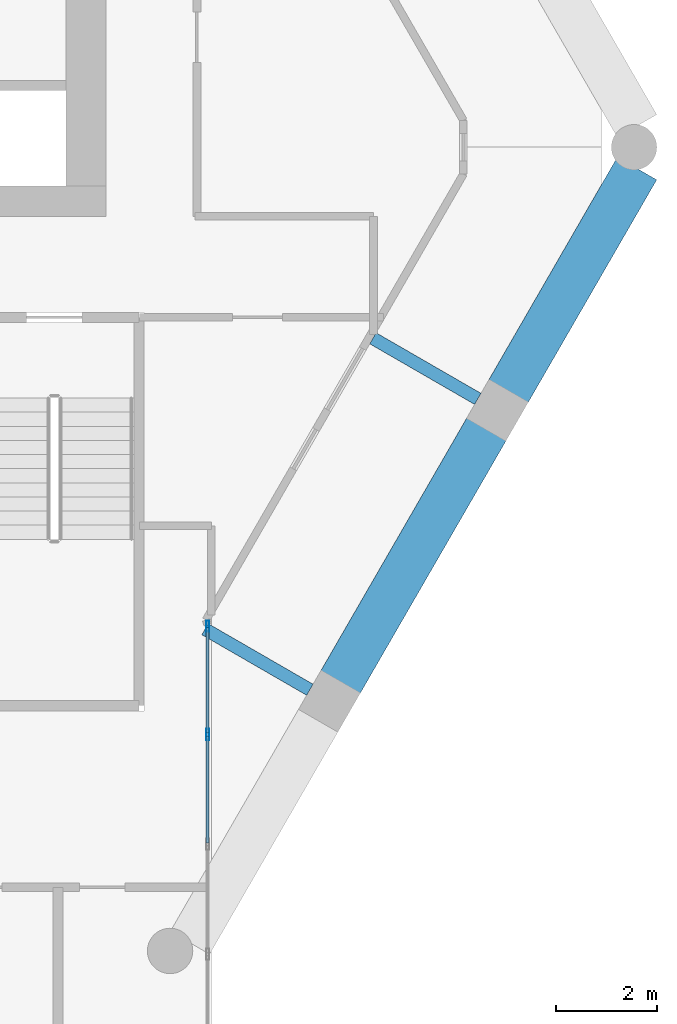
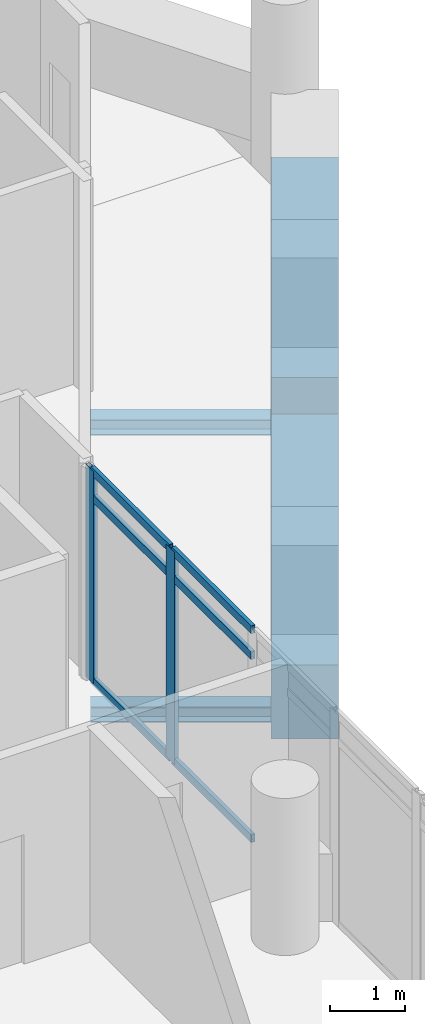
# One storey, part 10 of 25: 8 members, 4 beams, 1 element without a shape of its own.
"""IFC4 building model written with IfcOpenShell, lengths in metres."""

import ifcopenshell
import ifcopenshell.guid

model = None  # the IFC model being written
_history = None  # IfcOwnerHistory: only IFC2X3 demands one
_inside = {}  # id of a spatial element -> (the spatial element, [elements in it])
_under = {}  # id of a project, library or spatial element -> (it, [spatial elements below it])
_declared = {}  # id of a project -> (the project, [libraries it declares])
_typed = {}  # id of a type object -> (the type object, [elements of that type])
_made_of = {}  # id of a material, layer set ... -> (it, [elements and type objects made of it])


def new_model(schema):
    """Start an empty IFC model of exactly this schema.

    Asked for "IFC4X3", IfcOpenShell would pick the latest addendum, in which some entities
    have other attributes; the version numbers below select the first issue.
    IFC2X3 requires an IfcOwnerHistory on every rooted entity: one is made here for all.
    """
    global model, _history
    if schema == "IFC4X3":
        model = ifcopenshell.file(schema_version=(4, 3, 0, 0))
    else:
        model = ifcopenshell.file(schema=schema)
    _inside.clear()
    _under.clear()
    _declared.clear()
    _typed.clear()
    _made_of.clear()
    _history = None
    if model.schema == "IFC2X3":
        org = make("IfcOrganization", Name="unknown")
        user = make(
            "IfcPersonAndOrganization",
            ThePerson=make("IfcPerson", FamilyName="unknown"),
            TheOrganization=org,
        )
        app = make(
            "IfcApplication",
            ApplicationDeveloper=org,
            Version="unknown",
            ApplicationFullName="unknown",
            ApplicationIdentifier="unknown",
        )
        _history = make(
            "IfcOwnerHistory",
            OwningUser=user,
            OwningApplication=app,
            ChangeAction="ADDED",
            CreationDate=0,
        )
    return model


def make(cls, **values):
    """One entity of the class cls with the attributes given. An attribute that is None is left unset."""
    return model.create_entity(
        cls, **{name: value for name, value in values.items() if value is not None}
    )


def rooted(cls, **values):
    """An entity with a GlobalId (a new one), such as an element, a storey or a relation."""
    return make(cls, GlobalId=ifcopenshell.guid.new(), OwnerHistory=_history, **values)


def si_unit(unit_type, name, prefix=None):
    """IfcSIUnit, for example si_unit("LENGTHUNIT", "METRE", prefix="MILLI")."""
    return make("IfcSIUnit", UnitType=unit_type, Prefix=prefix, Name=name)


def assignment(units):
    """IfcUnitAssignment: the units of a project."""
    return None if units is None else make("IfcUnitAssignment", Units=units)


def point(xyz):
    """IfcCartesianPoint."""
    return None if xyz is None else make("IfcCartesianPoint", Coordinates=xyz)


def direction(xyz):
    """IfcDirection."""
    return None if xyz is None else make("IfcDirection", DirectionRatios=xyz)


def frame(location, z_axis=None, x_axis=None):
    """IfcAxis2Placement3D, a coordinate frame: its origin and axes. An axis left out is left unset."""
    return make(
        "IfcAxis2Placement3D",
        Location=point(location),
        Axis=direction(z_axis),
        RefDirection=direction(x_axis),
    )


def frame_2d(location, x_axis=None):
    """IfcAxis2Placement2D, a coordinate frame in the plane: its origin and x axis."""
    return make(
        "IfcAxis2Placement2D", Location=point(location), RefDirection=direction(x_axis)
    )


def origin():
    """The frame at (0, 0, 0) with its axes left unset."""
    return frame((0.0, 0.0, 0.0))


def origin_2d():
    """The frame at (0, 0) in the plane with its x axis left unset."""
    return frame_2d((0.0, 0.0))


def place(relative_to, where):
    """IfcLocalPlacement: puts the frame where relative to a parent placement (None: the world)."""
    return make(
        "IfcLocalPlacement", PlacementRelTo=relative_to, RelativePlacement=where
    )


def context(
    kind, dimensions, precision=None, world=None, true_north=None, identifier=None
):
    """IfcGeometricRepresentationContext, for example the 3D "Model" context."""
    return make(
        "IfcGeometricRepresentationContext",
        ContextIdentifier=identifier,
        ContextType=kind,
        CoordinateSpaceDimension=dimensions,
        Precision=precision,
        WorldCoordinateSystem=world,
        TrueNorth=true_north,
    )


def subcontext(parent, identifier, kind, view, scale=None):
    """IfcGeometricRepresentationSubContext, for example "Body" below "Model"."""
    return make(
        "IfcGeometricRepresentationSubContext",
        ContextIdentifier=identifier,
        ContextType=kind,
        ParentContext=parent,
        TargetScale=scale,
        TargetView=view,
    )


def project(units=None, contexts=None):
    """IfcProject with its units and contexts."""
    return rooted(
        "IfcProject",
        Name="project",
        RepresentationContexts=contexts,
        UnitsInContext=assignment(units),
    )


def spatial(cls, under=None, at=None, **own):
    """A site, building, storey or space (cls), placed at a placement, below another one or the project."""
    s = rooted(cls, ObjectPlacement=at, **own)
    if under is not None:
        _under.setdefault(under.id(), (under, []))[1].append(s)
    return s


def profile(cls, at=None, kind="AREA", **sizes):
    """A parametric profile (cls). Its sizes go by their IFC names, for example OverallWidth=200.0."""
    return make(cls, ProfileType=kind, Position=at, **sizes)


def rectangle(**sizes):
    """IfcRectangleProfileDef."""
    return profile("IfcRectangleProfileDef", **sizes)


def hollow_rectangle(**sizes):
    """IfcRectangleHollowProfileDef."""
    return profile("IfcRectangleHollowProfileDef", **sizes)


def i_section(**sizes):
    """IfcIShapeProfileDef."""
    return profile("IfcIShapeProfileDef", **sizes)


def extrude(swept, where, along, depth):
    """IfcExtrudedAreaSolid: the profile swept, set in the frame where, extruded along a direction by depth."""
    return make(
        "IfcExtrudedAreaSolid",
        SweptArea=swept,
        Position=where,
        ExtrudedDirection=direction(along),
        Depth=depth,
    )


def shape(context_of_items, identifier, shape_type, items):
    """IfcShapeRepresentation: the items that make up one representation, for example the "Body"."""
    return make(
        "IfcShapeRepresentation",
        ContextOfItems=context_of_items,
        RepresentationIdentifier=identifier,
        RepresentationType=shape_type,
        Items=items,
    )


def material(Name=None, Category=None):
    """IfcMaterial."""
    return make("IfcMaterial", Name=Name, Category=Category)


def material_profile(
    of_material, cross_section, Name=None, Category=None, Priority=None
):
    """IfcMaterialProfile: a cross section and its material."""
    return make(
        "IfcMaterialProfile",
        Name=Name,
        Material=of_material,
        Profile=cross_section,
        Priority=Priority,
        Category=Category,
    )


def profile_set(profiles, Name=None, composite=None):
    """IfcMaterialProfileSet."""
    return make(
        "IfcMaterialProfileSet",
        Name=Name,
        MaterialProfiles=profiles,
        CompositeProfile=composite,
    )


def made_of(thing, what):
    """Note that an element or type object is made of a material, layer set ...; save() writes the relation."""
    if what is not None:
        _made_of.setdefault(what.id(), (what, []))[1].append(thing)
    return thing


def type_object(cls, material=None, **own):
    """A type object (cls), such as IfcWallType, which elements share."""
    return made_of(rooted(cls, **own), material)


def element(
    cls,
    number,
    at=None,
    inside=None,
    cuts=None,
    type_object=None,
    material=None,
    context=None,
    identifier="Body",
    shape_type=None,
    held_by="IfcProductDefinitionShape",
    body=None,
    shapes=None,
    **own,
):
    """One element of the class cls, such as IfcWall. Its Tag is "e" and its number.

    at: its placement. inside: the storey or other place that contains it. cuts: it is an
    opening in that element (IfcRelVoidsElement). A single representation is given by context,
    identifier, shape_type and body (its items); several are given by shapes. held_by: the class
    of the entity that holds the representations. save() writes the other relations.
    """
    e = rooted(cls, Tag="e%d" % number, ObjectPlacement=at, **own)
    if body is not None:
        shapes = [shape(context, identifier, shape_type, body)]
    if shapes is not None:
        e.Representation = make(held_by, Representations=shapes)
    if inside is not None:
        _inside.setdefault(inside.id(), (inside, []))[1].append(e)
    if cuts is not None:
        rooted(
            "IfcRelVoidsElement", RelatingBuildingElement=cuts, RelatedOpeningElement=e
        )
    if type_object is not None:
        _typed.setdefault(type_object.id(), (type_object, []))[1].append(e)
    return made_of(e, material)


def aggregate(whole, parts):
    """IfcRelAggregates: a whole, such as a stair, and the parts it consists of."""
    return rooted("IfcRelAggregates", RelatingObject=whole, RelatedObjects=parts)


def save(model, path):
    """Write the relations noted so far, then the file.

    IfcRelAggregates (storeys below a building ...), IfcRelContainedInSpatialStructure (elements
    in a storey), IfcRelDefinesByType, IfcRelAssociatesMaterial and IfcRelDeclares: one each for
    every whole, place, type object, material and project.
    """
    for whole, parts in _under.values():
        aggregate(whole, parts)
    for where, things in _inside.values():
        rooted(
            "IfcRelContainedInSpatialStructure",
            RelatedElements=things,
            RelatingStructure=where,
        )
    for kind, things in _typed.values():
        rooted("IfcRelDefinesByType", RelatedObjects=things, RelatingType=kind)
    for what, things in _made_of.values():
        rooted("IfcRelAssociatesMaterial", RelatedObjects=things, RelatingMaterial=what)
    for by, libraries in _declared.values():
        rooted("IfcRelDeclares", RelatingContext=by, RelatedDefinitions=libraries)
    model.write(path)


model = new_model("IFC4")

# Units and contexts
model_context = context("Model", 3, precision=1e-05, world=origin(), true_north=direction((0.0, 1.0)))
body_context = subcontext(model_context, "Body", "Model", "MODEL_VIEW")
ifc_project = project(units=[si_unit("LENGTHUNIT", "METRE"), si_unit("AREAUNIT", "SQUARE_METRE"), si_unit("VOLUMEUNIT", "CUBIC_METRE"), si_unit("PLANEANGLEUNIT", "RADIAN"), si_unit("MASSUNIT", "GRAM", prefix="KILO")], contexts=[model_context])

# Site, building, storey
site_placement = place(None, origin())
site = spatial("IfcSite", under=ifc_project, at=site_placement, CompositionType="ELEMENT")
building_placement = place(site_placement, origin())
building = spatial("IfcBuilding", under=site, at=building_placement, Name="Ostrander Bayou Hotel Tower", CompositionType="ELEMENT")
storey_placement = place(building_placement, frame((0.0, 0.0, 229.5)))
storey = spatial("IfcBuildingStorey", under=building, at=storey_placement, Name="L57", CompositionType="ELEMENT", Elevation=229.5)

# Curtain wall, members
ifc_material_1 = material(Name="Aluminium and clear glass", Category="aluminium")
curtain_wall_type = type_object("IfcCurtainWallType", Name="CW-BAR glazed wall", PredefinedType="NOTDEFINED", material=ifc_material_1)
curtain_wall_placement = place(storey_placement, origin())
curtain_wall = element("IfcCurtainWall", 1, at=curtain_wall_placement, inside=storey, type_object=curtain_wall_type, Name="CW-BAR L57:SB5S:W", PredefinedType="NOTDEFINED")
ifc_material_2 = material(Name="Aluminium", Category="aluminium")
ifc_material_profile_1 = material_profile(ifc_material_2, hollow_rectangle(XDim=0.06005859375, YDim=0.219970703125, WallThickness=0.00390625, at=origin_2d()))
ifc_profile_set_1 = profile_set([ifc_material_profile_1], Name="Aluminium")
member_type_1 = type_object("IfcMemberType", Name="CW-BR mullion 60 x 220 mm", PredefinedType="MULLION", material=ifc_profile_set_1)
member_1_placement = place(storey_placement, frame((10.51220703125, -9.822265625, 0.0), z_axis=(0.0, 0.0, 1.0), x_axis=(1.0, 0.0, 0.0)))
member_1 = element("IfcMember", 2, at=member_1_placement, type_object=member_type_1, Name="CW-BAR mullion 1", PredefinedType="MULLION", context=body_context, shape_type="SweptSolid", body=[
    extrude(hollow_rectangle(XDim=0.06005859375, YDim=0.219970703125, WallThickness=0.00390625, at=origin_2d()), origin(), (0.0, 0.0, 1.0), 3.449951171875),
])
member_2_placement = place(storey_placement, frame((10.51220703125, -11.970703125, 0.0), z_axis=(0.0, 0.0, 1.0), x_axis=(1.0, 0.0, 0.0)))
member_2 = element("IfcMember", 3, at=member_2_placement, type_object=member_type_1, Name="CW-BAR mullion 2", PredefinedType="MULLION", context=body_context, shape_type="SweptSolid", body=[
    extrude(hollow_rectangle(XDim=0.06005859375, YDim=0.219970703125, WallThickness=0.00390625, at=origin_2d()), origin(), (0.0, 0.0, 1.0), 3.449951171875),
])
ifc_material_3 = material(Name="Aluminium", Category="aluminium")
ifc_material_profile_2 = material_profile(ifc_material_3, hollow_rectangle(XDim=0.06005859375, YDim=0.1298828125, WallThickness=0.00390625, at=origin_2d()))
ifc_profile_set_2 = profile_set([ifc_material_profile_2], Name="Aluminium")
member_type_2 = type_object("IfcMemberType", Name="CW-BR transom 60 x 130 mm", PredefinedType="USERDEFINED", material=ifc_profile_set_2)
member_3_placement = place(storey_placement, frame((10.51220703125, -9.852294921875, 0.030029296875), z_axis=(0.0, -1.0, 0.0), x_axis=(1.0, 0.0, 0.0)))
member_3 = element("IfcMember", 4, at=member_3_placement, type_object=member_type_2, Name="CW-BAR transom 1.1", ObjectType="TRANSOM", PredefinedType="USERDEFINED", context=body_context, shape_type="SweptSolid", body=[
    extrude(hollow_rectangle(XDim=0.06005859375, YDim=0.1298828125, WallThickness=0.00390625, at=origin_2d()), origin(), (0.0, 0.0, 1.0), 2.08837890625),
])
member_4_placement = place(storey_placement, frame((10.51220703125, -9.852294921875, 3.0), z_axis=(0.0, -1.0, 0.0), x_axis=(1.0, 0.0, 0.0)))
member_4 = element("IfcMember", 5, at=member_4_placement, type_object=member_type_2, Name="CW-BAR transom 1.2", ObjectType="TRANSOM", PredefinedType="USERDEFINED", context=body_context, shape_type="SweptSolid", body=[
    extrude(hollow_rectangle(XDim=0.06005859375, YDim=0.1298828125, WallThickness=0.00390625, at=origin_2d()), origin(), (0.0, 0.0, 1.0), 2.08837890625),
])
member_5_placement = place(storey_placement, frame((10.51220703125, -9.852294921875, 3.419921875), z_axis=(0.0, -1.0, 0.0), x_axis=(1.0, 0.0, 0.0)))
member_5 = element("IfcMember", 6, at=member_5_placement, type_object=member_type_2, Name="CW-BAR transom 1.3", ObjectType="TRANSOM", PredefinedType="USERDEFINED", context=body_context, shape_type="SweptSolid", body=[
    extrude(hollow_rectangle(XDim=0.06005859375, YDim=0.1298828125, WallThickness=0.00390625, at=origin_2d()), origin(), (0.0, 0.0, 1.0), 2.08837890625),
])
member_6_placement = place(storey_placement, frame((10.51220703125, -12.000732421875, 0.030029296875), z_axis=(0.0, -1.0, 0.0), x_axis=(1.0, 0.0, 0.0)))
member_6 = element("IfcMember", 7, at=member_6_placement, type_object=member_type_2, Name="CW-BAR transom 2.1", ObjectType="TRANSOM", PredefinedType="USERDEFINED", context=body_context, shape_type="SweptSolid", body=[
    extrude(hollow_rectangle(XDim=0.06005859375, YDim=0.1298828125, WallThickness=0.00390625, at=origin_2d()), origin(), (0.0, 0.0, 1.0), 2.1181640625),
])
member_7_placement = place(storey_placement, frame((10.51220703125, -12.000732421875, 3.0), z_axis=(0.0, -1.0, 0.0), x_axis=(1.0, 0.0, 0.0)))
member_7 = element("IfcMember", 8, at=member_7_placement, type_object=member_type_2, Name="CW-BAR transom 2.2", ObjectType="TRANSOM", PredefinedType="USERDEFINED", context=body_context, shape_type="SweptSolid", body=[
    extrude(hollow_rectangle(XDim=0.06005859375, YDim=0.1298828125, WallThickness=0.00390625, at=origin_2d()), origin(), (0.0, 0.0, 1.0), 2.1181640625),
])
member_8_placement = place(storey_placement, frame((10.51220703125, -12.000732421875, 3.419921875), z_axis=(0.0, -1.0, 0.0), x_axis=(1.0, 0.0, 0.0)))
member_8 = element("IfcMember", 9, at=member_8_placement, type_object=member_type_2, Name="CW-BAR transom 2.3", ObjectType="TRANSOM", PredefinedType="USERDEFINED", context=body_context, shape_type="SweptSolid", body=[
    extrude(hollow_rectangle(XDim=0.06005859375, YDim=0.1298828125, WallThickness=0.00390625, at=origin_2d()), origin(), (0.0, 0.0, 1.0), 2.1181640625),
])
aggregate(curtain_wall, [member_1, member_2, member_3, member_4, member_5, member_6, member_7, member_8])

# Beams
ifc_material_4 = material(Name="Steel ASTM A992", Category="steel")
ifc_material_profile_3 = material_profile(ifc_material_4, i_section(OverallWidth=0.25390625, OverallDepth=0.25341796875, WebThickness=0.008544921875, FlangeThickness=0.01416015625, at=origin_2d()))
ifc_profile_set_3 = profile_set([ifc_material_profile_3], Name="Steel ASTM A992")
beam_type_1 = type_object("IfcBeamType", Name="LB2 loggia bracket W10x49", PredefinedType="BEAM", material=ifc_profile_set_3)
for number, where, z_axis, x_axis, name in (
    (10, (12.5380859375, -11.083251953125, -0.4267578125), (-0.866024647952, 0.500001309137, 0.0), (-0.500001309137, -0.866024647952, 0.0), "LB2 L57 SE1"),
    (11, (15.867431640625, -5.316650390625, -0.4267578125), (-0.866024647952, 0.500001309137, 0.0), (-0.500001309137, -0.866024647952, 0.0), "LB2 L57 SE2"),
):
    element("IfcBeam", number, at=place(storey_placement, frame(where, z_axis=z_axis, x_axis=x_axis)), inside=storey, type_object=beam_type_1, Name=name, PredefinedType="BEAM", context=body_context, shape_type="SweptSolid", body=[
        extrude(i_section(OverallWidth=0.25390625, OverallDepth=0.25341796875, WebThickness=0.008544921875, FlangeThickness=0.01416015625, at=origin_2d()), origin(), (0.0, 0.0, 1.0), 2.39990234375),
    ])
ifc_material_5 = material(Name="Concrete f'c 60 MPa", Category="concrete")
ifc_material_profile_4 = material_profile(ifc_material_5, rectangle(XDim=0.89990234375, YDim=1.199951171875, at=origin_2d()))
ifc_profile_set_4 = profile_set([ifc_material_profile_4], Name="Concrete f'c 60 MPa")
beam_type_2 = type_object("IfcBeamType", Name="SP4 spandrel beam 900 x 1200 mm f'c 60 MPa", PredefinedType="SPANDREL", material=ifc_profile_set_4)
beam_1_placement = place(storey_placement, frame((13.1376953125, -10.944580078125, -0.60009765625), z_axis=(0.500015433515, 0.866016493057, 0.0), x_axis=(-0.866016493057, 0.500015433515, 0.0)))
element("IfcBeam", 12, at=beam_1_placement, inside=storey, type_object=beam_type_2, Name="SP4 L57 SE-2", PredefinedType="SPANDREL", context=body_context, shape_type="SweptSolid", body=[
    extrude(rectangle(XDim=0.89990234375, YDim=1.199951171875, at=origin_2d()), origin(), (0.0, 0.0, 1.0), 5.818603515625),
])
beam_2_placement = place(storey_placement, frame((16.46728515625, -5.177978515625, -0.60009765625), z_axis=(0.499995206172, 0.866028171485, 0.0), x_axis=(-0.866028171485, 0.499995206172, 0.0)))
element("IfcBeam", 13, at=beam_2_placement, inside=storey, type_object=beam_type_2, Name="SP4 L57 SE-3", PredefinedType="SPANDREL", context=body_context, shape_type="SweptSolid", body=[
    extrude(rectangle(XDim=0.89990234375, YDim=1.199951171875, at=origin_2d()), origin(), (0.0, 0.0, 1.0), 5.11376953125),
])

save(model, "model.ifc")
